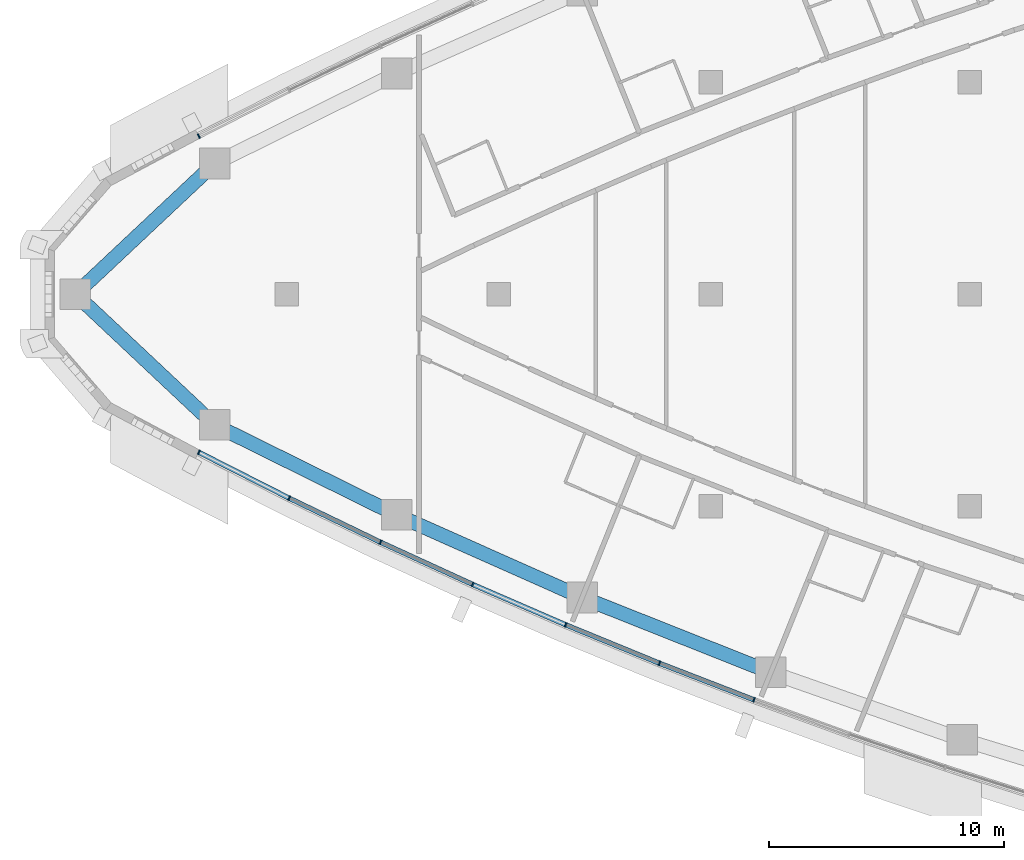
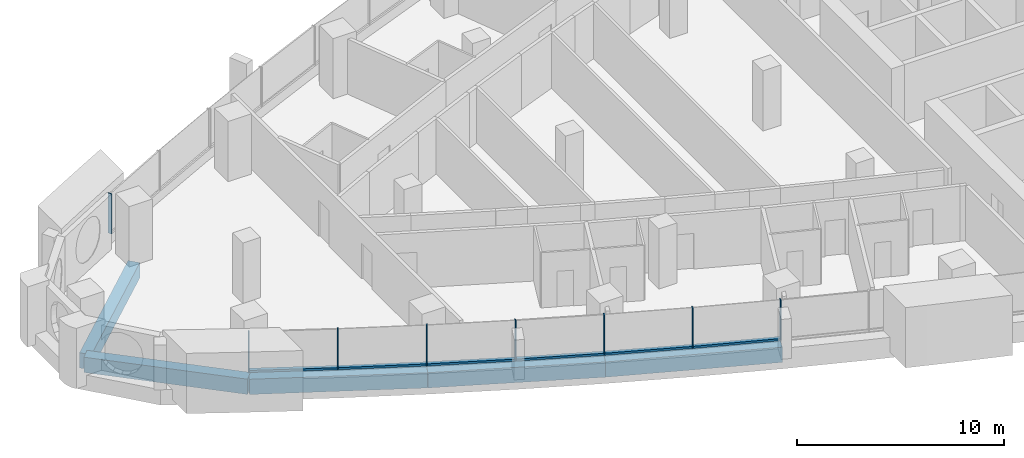
# One storey, part 2 of 17: 14 members, 5 beams, 4 elements without a shape of their own.
"""IFC4 building model written with IfcOpenShell, lengths in metres."""

from ifc_helpers import new_model, si_unit, direction, frame, origin, origin_2d, place, context, subcontext, project, spatial, rectangle, extrude, material, layer, layer_set, material_profile, profile_set, type_object, element, aggregate, save


model = new_model("IFC4")

# Units and contexts
model_context = context("Model", 3, precision=1e-05, world=origin(), true_north=direction((0.0, 1.0)))
body_context = subcontext(model_context, "Body", "Model", "MODEL_VIEW")
ifc_project = project(units=[si_unit("LENGTHUNIT", "METRE"), si_unit("AREAUNIT", "SQUARE_METRE"), si_unit("VOLUMEUNIT", "CUBIC_METRE"), si_unit("PLANEANGLEUNIT", "RADIAN"), si_unit("MASSUNIT", "GRAM", prefix="KILO")], contexts=[model_context])

# Site, building, storey
site_placement = place(None, origin())
site = spatial("IfcSite", under=ifc_project, at=site_placement, CompositionType="ELEMENT")
building_placement = place(site_placement, origin())
building = spatial("IfcBuilding", under=site, at=building_placement, Name="Ostrand Prow Hotel Tower", CompositionType="ELEMENT")
storey_placement = place(building_placement, frame((0.0, 0.0, 175.5)))
storey = spatial("IfcBuildingStorey", under=building, at=storey_placement, Name="L43", CompositionType="ELEMENT", Elevation=175.5)

# Beams
ifc_material_1 = material(Name="Concrete C60/75", Category="concrete")
ifc_material_profile_1 = material_profile(ifc_material_1, rectangle(XDim=0.60009765625, YDim=0.89990234375, at=origin_2d()), Name="RC 600x900")
ifc_profile_set_1 = profile_set([ifc_material_profile_1], Name="Concrete C60/75")
beam_type = type_object("IfcBeamType", Name="Edge beam 600x900 C60/75", PredefinedType="SPANDREL", material=ifc_profile_set_1)
beam_1_placement = place(storey_placement, frame((7.01708984375, 0.0, -0.75), z_axis=(0.728960507808, -0.684555752336, 0.0), x_axis=(0.684555752336, 0.728960507808, 0.0)))
element("IfcBeam", 1, at=beam_1_placement, inside=storey, type_object=beam_type, Name="Edge beam P-S1", PredefinedType="SPANDREL", context=body_context, shape_type="SweptSolid", body=[
    extrude(rectangle(XDim=0.60009765625, YDim=0.89990234375, at=origin_2d()), origin(), (0.0, 0.0, 1.0), 8.109619140625),
])
beam_2_placement = place(storey_placement, frame((12.9287109375, -5.551513671875, -0.75), z_axis=(0.896383774903, -0.443278837856, 0.0), x_axis=(0.443278837856, 0.896383774903, 0.0)))
element("IfcBeam", 2, at=beam_2_placement, inside=storey, type_object=beam_type, Name="Edge beam S1-S2", PredefinedType="SPANDREL", context=body_context, shape_type="SweptSolid", body=[
    extrude(rectangle(XDim=0.60009765625, YDim=0.89990234375, at=origin_2d()), origin(), (0.0, 0.0, 1.0), 8.62158203125),
])
for number, where, z_axis, x_axis, name in (
    (3, (20.656982421875, -9.373291015625, -0.75), (0.91364332073, -0.406516767779, 0.0), (0.406516767779, 0.91364332073, 0.0), "Edge beam S2-S3"),
    (4, (28.5341796875, -12.878173828125, -0.75), (0.929376173753, -0.36913402398, 0.0), (0.36913402398, 0.929376173753, 0.0), "Edge beam S3-S4"),
):
    element("IfcBeam", number, at=place(storey_placement, frame(where, z_axis=z_axis, x_axis=x_axis)), inside=storey, type_object=beam_type, Name=name, PredefinedType="SPANDREL", context=body_context, shape_type="SweptSolid", body=[
        extrude(rectangle(XDim=0.60009765625, YDim=0.89990234375, at=origin_2d()), origin(), (0.0, 0.0, 1.0), 8.621826171875),
    ])
beam_3_placement = place(storey_placement, frame((12.9287109375, 5.551513671875, -0.75), z_axis=(-0.728960507808, -0.684555752336, 0.0), x_axis=(0.684555752336, -0.728960507808, 0.0)))
element("IfcBeam", 5, at=beam_3_placement, inside=storey, type_object=beam_type, Name="Edge beam N6-P", PredefinedType="SPANDREL", context=body_context, shape_type="SweptSolid", body=[
    extrude(rectangle(XDim=0.60009765625, YDim=0.89990234375, at=origin_2d()), origin(), (0.0, 0.0, 1.0), 8.109619140625),
])

# Curtain wall, members
ifc_material_2 = material(Name="Insulated glass in bronze anodised frame", Category="glass")
ifc_layer = layer(ifc_material_2, 0.199951171875)
ifc_layer_set = layer_set([ifc_layer], Name="Insulated glass in bronze anodised frame")
curtain_wall_type = type_object("IfcCurtainWallType", Name="Strip curtain wall, fritted glass over bronze spandrel", PredefinedType="NOTDEFINED", material=ifc_layer_set)
curtain_wall_1_placement = place(storey_placement, origin())
curtain_wall_1 = element("IfcCurtainWall", 6, at=curtain_wall_1_placement, inside=storey, type_object=curtain_wall_type, Name="CW1 run CWS1", PredefinedType="NOTDEFINED")
ifc_material_3 = material(Name="Bronze anodised aluminium", Category="aluminium")
ifc_material_profile_2 = material_profile(ifc_material_3, rectangle(XDim=0.199951171875, YDim=0.06005859375, at=origin_2d()), Name="Mullion 60x200 bronze anodised aluminium")
ifc_profile_set_2 = profile_set([ifc_material_profile_2], Name="Bronze anodised aluminium")
member_type_1 = type_object("IfcMemberType", Name="Mullion 60x200 bronze anodised aluminium", PredefinedType="MULLION", material=ifc_profile_set_2)
member_1_placement = place(storey_placement, frame((12.255859375, -6.71240234375, 0.89990234375), z_axis=(0.0, 0.0, 1.0), x_axis=(0.452658828186, 0.891683792196, 0.0)))
member_1 = element("IfcMember", 7, at=member_1_placement, type_object=member_type_1, Name="CW1 mullion 1", PredefinedType="MULLION", context=body_context, shape_type="SweptSolid", body=[
    extrude(rectangle(XDim=0.199951171875, YDim=0.06005859375, at=origin_2d()), origin(), (0.0, 0.0, 1.0), 2.35009765625),
])
member_2_placement = place(storey_placement, frame((16.0947265625, -8.660888671875, 0.89990234375), z_axis=(0.0, 0.0, 1.0), x_axis=(0.434615027304, 0.90061633232, 0.0)))
member_2 = element("IfcMember", 8, at=member_2_placement, type_object=member_type_1, Name="CW1 mullion 2", PredefinedType="MULLION", context=body_context, shape_type="SweptSolid", body=[
    extrude(rectangle(XDim=0.199951171875, YDim=0.06005859375, at=origin_2d()), origin(), (0.0, 0.0, 1.0), 2.35009765625),
])
member_3_placement = place(storey_placement, frame((19.971923828125, -10.531982421875, 0.89990234375), z_axis=(0.0, 0.0, 1.0), x_axis=(0.434615027304, 0.90061633232, 0.0)))
member_3 = element("IfcMember", 9, at=member_3_placement, type_object=member_type_1, Name="CW1 mullion 3", PredefinedType="MULLION", context=body_context, shape_type="SweptSolid", body=[
    extrude(rectangle(XDim=0.199951171875, YDim=0.06005859375, at=origin_2d()), origin(), (0.0, 0.0, 1.0), 2.35009765625),
])

curtain_wall_2_placement = place(storey_placement, origin())
curtain_wall_2 = element("IfcCurtainWall", 10, at=curtain_wall_2_placement, inside=storey, type_object=curtain_wall_type, Name="CW1 run CWS2", PredefinedType="NOTDEFINED")
member_4_placement = place(storey_placement, frame((23.885986328125, -12.32470703125, 0.89990234375), z_axis=(0.0, 0.0, 1.0), x_axis=(0.398004671812, 0.917383388347, 0.0)))
member_4 = element("IfcMember", 11, at=member_4_placement, type_object=member_type_1, Name="CW1 mullion 2", PredefinedType="MULLION", context=body_context, shape_type="SweptSolid", body=[
    extrude(rectangle(XDim=0.199951171875, YDim=0.06005859375, at=origin_2d()), origin(), (0.0, 0.0, 1.0), 2.35009765625),
])
member_5_placement = place(storey_placement, frame((27.83544921875, -14.0380859375, 0.89990234375), z_axis=(0.0, 0.0, 1.0), x_axis=(0.398004671812, 0.917383388347, 0.0)))
member_5 = element("IfcMember", 12, at=member_5_placement, type_object=member_type_1, Name="CW1 mullion 3", PredefinedType="MULLION", context=body_context, shape_type="SweptSolid", body=[
    extrude(rectangle(XDim=0.199951171875, YDim=0.06005859375, at=origin_2d()), origin(), (0.0, 0.0, 1.0), 2.35009765625),
])

curtain_wall_3_placement = place(storey_placement, origin())
curtain_wall_3 = element("IfcCurtainWall", 13, at=curtain_wall_3_placement, inside=storey, type_object=curtain_wall_type, Name="CW1 run CWS3", PredefinedType="NOTDEFINED")
member_6_placement = place(storey_placement, frame((31.818603515625, -15.671630859375, 0.89990234375), z_axis=(0.0, 0.0, 1.0), x_axis=(0.360748970732, 0.932662950972, 0.0)))
member_6 = element("IfcMember", 14, at=member_6_placement, type_object=member_type_1, Name="CW1 mullion 2", PredefinedType="MULLION", context=body_context, shape_type="SweptSolid", body=[
    extrude(rectangle(XDim=0.199951171875, YDim=0.06005859375, at=origin_2d()), origin(), (0.0, 0.0, 1.0), 2.35009765625),
])
member_7_placement = place(storey_placement, frame((35.833740234375, -17.224609375, 0.89990234375), z_axis=(0.0, 0.0, 1.0), x_axis=(0.360748970732, 0.932662950972, 0.0)))
member_7 = element("IfcMember", 15, at=member_7_placement, type_object=member_type_1, Name="CW1 mullion 3", PredefinedType="MULLION", context=body_context, shape_type="SweptSolid", body=[
    extrude(rectangle(XDim=0.199951171875, YDim=0.06005859375, at=origin_2d()), origin(), (0.0, 0.0, 1.0), 2.35009765625),
])

# Curtain wall, member
curtain_wall_4_placement = place(storey_placement, origin())
curtain_wall_4 = element("IfcCurtainWall", 16, at=curtain_wall_4_placement, inside=storey, type_object=curtain_wall_type, Name="CW1 run CWN5", PredefinedType="NOTDEFINED")
member_8_placement = place(storey_placement, frame((12.255859375, 6.71240234375, 0.89990234375), z_axis=(0.0, 0.0, 1.0), x_axis=(0.452658828186, -0.891683792196, 0.0)))
member_8 = element("IfcMember", 17, at=member_8_placement, type_object=member_type_1, Name="CW1 mullion 3", PredefinedType="MULLION", context=body_context, shape_type="SweptSolid", body=[
    extrude(rectangle(XDim=0.199951171875, YDim=0.06005859375, at=origin_2d()), origin(), (0.0, 0.0, 1.0), 2.35009765625),
])
aggregate(curtain_wall_4, [member_8])

# Member
ifc_material_4 = material(Name="Bronze anodised aluminium", Category="aluminium")
ifc_material_profile_3 = material_profile(ifc_material_4, rectangle(XDim=0.199951171875, YDim=0.1201171875, at=origin_2d()), Name="Transom 120x200 bronze anodised aluminium")
ifc_profile_set_3 = profile_set([ifc_material_profile_3], Name="Bronze anodised aluminium")
member_type_2 = type_object("IfcMemberType", Name="Transom 120x200 bronze anodised aluminium", PredefinedType="USERDEFINED", material=ifc_profile_set_3)
member_9_placement = place(storey_placement, frame((12.28271484375, -6.725830078125, 0.9599609375), z_axis=(0.891672840777, -0.452680400526, 0.0), x_axis=(0.452680400526, 0.891672840777, 0.0)))
member_9 = element("IfcMember", 18, at=member_9_placement, type_object=member_type_2, Name="CW1 transom 1.1", ObjectType="TRANSOM", PredefinedType="USERDEFINED", context=body_context, shape_type="SweptSolid", body=[
    extrude(rectangle(XDim=0.199951171875, YDim=0.1201171875, at=origin_2d()), origin(), (0.0, 0.0, 1.0), 4.2451171875),
])

member_10_placement = place(storey_placement, frame((16.12158203125, -8.674072265625, 0.9599609375), z_axis=(0.900619174345, -0.434609137965, 0.0), x_axis=(0.434609137965, 0.900619174345, 0.0)))
member_10 = element("IfcMember", 19, at=member_10_placement, type_object=member_type_2, Name="CW1 transom 2.1", ObjectType="TRANSOM", PredefinedType="USERDEFINED", context=body_context, shape_type="SweptSolid", body=[
    extrude(rectangle(XDim=0.199951171875, YDim=0.1201171875, at=origin_2d()), origin(), (0.0, 0.0, 1.0), 4.2451171875),
])

aggregate(curtain_wall_1, [member_1, member_2, member_3, member_9, member_10])

member_11_placement = place(storey_placement, frame((19.999267578125, -10.54443359375, 0.9599609375), z_axis=(0.909159196143, -0.416448743628, 0.0), x_axis=(0.416448743628, 0.909159196143, 0.0)))
member_11 = element("IfcMember", 20, at=member_11_placement, type_object=member_type_2, Name="CW1 transom 1.1", ObjectType="TRANSOM", PredefinedType="USERDEFINED", context=body_context, shape_type="SweptSolid", body=[
    extrude(rectangle(XDim=0.199951171875, YDim=0.1201171875, at=origin_2d()), origin(), (0.0, 0.0, 1.0), 4.244873046875),
])

member_12_placement = place(storey_placement, frame((23.91357421875, -12.336669921875, 0.9599609375), z_axis=(0.917389785482, -0.397989926371, 0.0), x_axis=(0.397989926371, 0.917389785482, 0.0)))
member_12 = element("IfcMember", 21, at=member_12_placement, type_object=member_type_2, Name="CW1 transom 2.1", ObjectType="TRANSOM", PredefinedType="USERDEFINED", context=body_context, shape_type="SweptSolid", body=[
    extrude(rectangle(XDim=0.199951171875, YDim=0.1201171875, at=origin_2d()), origin(), (0.0, 0.0, 1.0), 4.244873046875),
])

aggregate(curtain_wall_2, [member_4, member_5, member_11, member_12])

member_13_placement = place(storey_placement, frame((27.863037109375, -14.049560546875, 0.9599609375), z_axis=(0.925213143858, -0.379447807258, 0.0), x_axis=(0.379447807258, 0.925213143858, 0.0)))
member_13 = element("IfcMember", 22, at=member_13_placement, type_object=member_type_2, Name="CW1 transom 1.1", ObjectType="TRANSOM", PredefinedType="USERDEFINED", context=body_context, shape_type="SweptSolid", body=[
    extrude(rectangle(XDim=0.199951171875, YDim=0.1201171875, at=origin_2d()), origin(), (0.0, 0.0, 1.0), 4.2451171875),
])

member_14_placement = place(storey_placement, frame((31.846435546875, -15.6826171875, 0.9599609375), z_axis=(0.932675482501, -0.360716570651, 0.0), x_axis=(0.360716570651, 0.932675482501, 0.0)))
member_14 = element("IfcMember", 23, at=member_14_placement, type_object=member_type_2, Name="CW1 transom 2.1", ObjectType="TRANSOM", PredefinedType="USERDEFINED", context=body_context, shape_type="SweptSolid", body=[
    extrude(rectangle(XDim=0.199951171875, YDim=0.1201171875, at=origin_2d()), origin(), (0.0, 0.0, 1.0), 4.2451171875),
])

aggregate(curtain_wall_3, [member_6, member_7, member_13, member_14])

save(model, "model.ifc")
